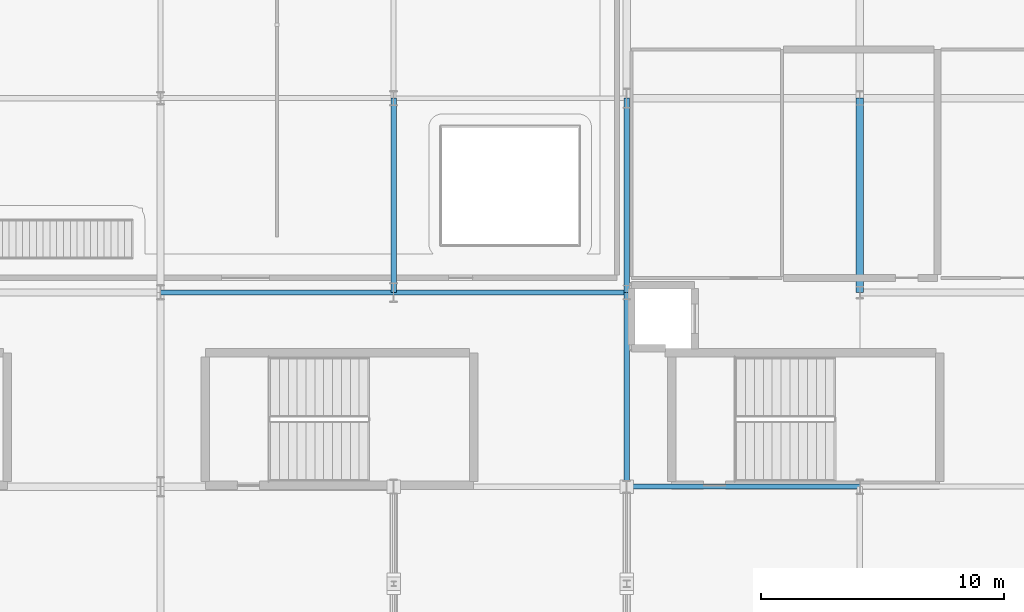
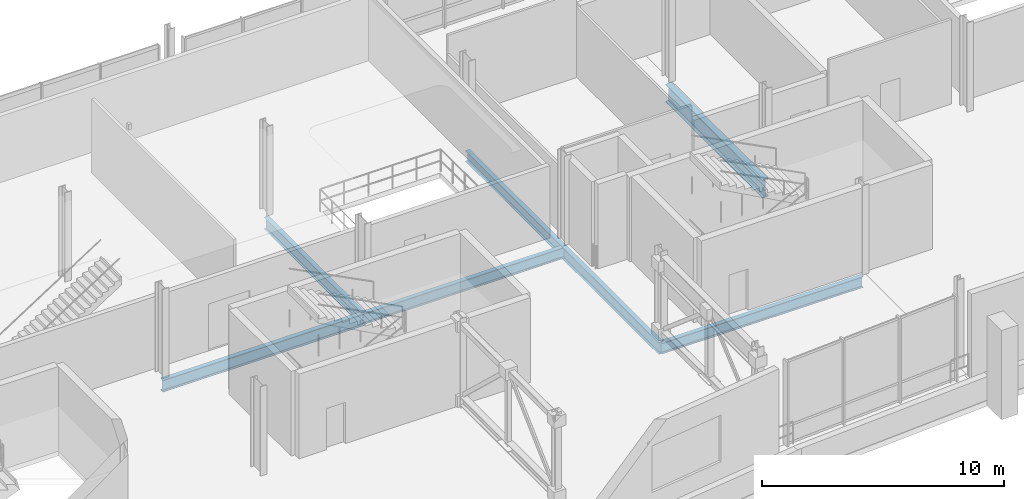
# One storey, part 28 of 193: 7 beams.
"""IFC4 building model written with IfcOpenShell, lengths in metres."""

from ifc_helpers import new_model, si_unit, direction, frame, origin, origin_2d, place, context, subcontext, project, spatial, i_section, extrude, material, material_profile, profile_set, type_object, element, save


model = new_model("IFC4")

# Units and contexts
model_context = context("Model", 3, precision=1e-05, world=origin(), true_north=direction((0.0, 1.0)))
body_context = subcontext(model_context, "Body", "Model", "MODEL_VIEW")
ifc_project = project(units=[si_unit("LENGTHUNIT", "METRE"), si_unit("AREAUNIT", "SQUARE_METRE"), si_unit("VOLUMEUNIT", "CUBIC_METRE"), si_unit("PLANEANGLEUNIT", "RADIAN"), si_unit("MASSUNIT", "GRAM", prefix="KILO")], contexts=[model_context])

# Site, building, storey
site_placement = place(None, origin())
site = spatial("IfcSite", under=ifc_project, at=site_placement, CompositionType="ELEMENT")
building_placement = place(site_placement, origin())
building = spatial("IfcBuilding", under=site, at=building_placement, Name="Danafjord Basin Convention Centre", CompositionType="ELEMENT")
storey_placement = place(building_placement, frame((0.0, 0.0, 11.39990234375)))
storey = spatial("IfcBuildingStorey", under=building, at=storey_placement, Name="L02", CompositionType="ELEMENT", Elevation=11.39990234375)

# Beams
ifc_material = material(Name="Steel S355", Category="steel")
ifc_material_profile_1 = material_profile(ifc_material, i_section(OverallWidth=0.300048828125, OverallDepth=0.89990234375, WebThickness=0.0185546875, FlangeThickness=0.034912109375, FilletRadius=0.030029296875, at=origin_2d()), Name="HEB 900")
ifc_profile_set_1 = profile_set([ifc_material_profile_1], Name="Steel S355")
beam_type_1 = type_object("IfcBeamType", Name="BEAM-BM-HEB900", PredefinedType="BEAM", material=ifc_profile_set_1)
beam_1_placement = place(storey_placement, frame((57.60009765625, 24.0, -0.699951171875), z_axis=(0.0, 1.0, 0.0), x_axis=(-1.0, 0.0, 0.0)))
element("IfcBeam", 1, at=beam_1_placement, inside=storey, type_object=beam_type_1, Name="L02 transverse girder BM-HEB900", PredefinedType="BEAM", context=body_context, shape_type="SweptSolid", body=[
    extrude(i_section(OverallWidth=0.300048828125, OverallDepth=0.89990234375, WebThickness=0.0185546875, FlangeThickness=0.034912109375, FilletRadius=0.030029296875, at=origin_2d()), origin(), (0.0, 0.0, 1.0), 8.0),
])
ifc_material_profile_2 = material_profile(ifc_material, i_section(OverallWidth=0.2099609375, OverallDepth=0.550048828125, WebThickness=0.010986328125, FlangeThickness=0.01708984375, FilletRadius=0.02392578125, at=origin_2d()), Name="IPE 550")
ifc_profile_set_2 = profile_set([ifc_material_profile_2], Name="Steel S355")
beam_type_2 = type_object("IfcBeamType", Name="BEAM-BM-IPE550", PredefinedType="BEAM", material=ifc_profile_set_2)
for number, where, z_axis, x_axis, name in (
    (2, (38.39990234375, 24.0, -0.52490234375), (1.0, 0.0, 0.0), (0.0, 1.0, 0.0), "L02 girder BM-IPE550"),
    (3, (48.0, 16.0, -0.52490234375), (1.0, 0.0, 0.0), (0.0, 1.0, 0.0), "L02 girder BM-IPE550"),
):
    element("IfcBeam", number, at=place(storey_placement, frame(where, z_axis=z_axis, x_axis=x_axis)), inside=storey, type_object=beam_type_2, Name=name, PredefinedType="BEAM", context=body_context, shape_type="SweptSolid", body=[
        extrude(i_section(OverallWidth=0.2099609375, OverallDepth=0.550048828125, WebThickness=0.010986328125, FlangeThickness=0.01708984375, FilletRadius=0.02392578125, at=origin_2d()), origin(), (0.0, 0.0, 1.0), 9.60009765625),
    ])
beam_2_placement = place(storey_placement, frame((48.0, 24.0, -0.52490234375), z_axis=(0.0, 1.0, 0.0), x_axis=(-1.0, 0.0, 0.0)))
element("IfcBeam", 4, at=beam_2_placement, inside=storey, type_object=beam_type_2, Name="L02 transverse girder BM-IPE550", PredefinedType="BEAM", context=body_context, shape_type="SweptSolid", body=[
    extrude(i_section(OverallWidth=0.2099609375, OverallDepth=0.550048828125, WebThickness=0.010986328125, FlangeThickness=0.01708984375, FilletRadius=0.02392578125, at=origin_2d()), origin(), (0.0, 0.0, 1.0), 8.0),
])
ifc_material_profile_3 = material_profile(ifc_material, i_section(OverallWidth=0.219970703125, OverallDepth=0.60009765625, WebThickness=0.011962890625, FlangeThickness=0.01904296875, FilletRadius=0.02392578125, at=origin_2d()), Name="IPE 600")
ifc_profile_set_3 = profile_set([ifc_material_profile_3], Name="Steel S355")
beam_type_3 = type_object("IfcBeamType", Name="BEAM-BM-IPE600", PredefinedType="BEAM", material=ifc_profile_set_3)
beam_3_placement = place(storey_placement, frame((28.800048828125, 24.0, -0.5498046875), z_axis=(1.0, 0.0, 0.0), x_axis=(0.0, 1.0, 0.0)))
element("IfcBeam", 5, at=beam_3_placement, inside=storey, type_object=beam_type_3, Name="L02 girder BM-IPE600", PredefinedType="BEAM", context=body_context, shape_type="SweptSolid", body=[
    extrude(i_section(OverallWidth=0.219970703125, OverallDepth=0.60009765625, WebThickness=0.011962890625, FlangeThickness=0.01904296875, FilletRadius=0.02392578125, at=origin_2d()), origin(), (0.0, 0.0, 1.0), 9.599853515625),
])
for number, where, z_axis, x_axis, name in (
    (6, (38.39990234375, 24.0, -0.5498046875), (0.0, 1.0, 0.0), (-1.0, 0.0, 0.0), "L02 transverse girder BM-IPE600"),
    (7, (48.0, 16.0, -0.5498046875), (0.0, 1.0, 0.0), (-1.0, 0.0, 0.0), "L02 transverse girder BM-IPE600"),
):
    element("IfcBeam", number, at=place(storey_placement, frame(where, z_axis=z_axis, x_axis=x_axis)), inside=storey, type_object=beam_type_3, Name=name, PredefinedType="BEAM", context=body_context, shape_type="SweptSolid", body=[
        extrude(i_section(OverallWidth=0.219970703125, OverallDepth=0.60009765625, WebThickness=0.011962890625, FlangeThickness=0.01904296875, FilletRadius=0.02392578125, at=origin_2d()), origin(), (0.0, 0.0, 1.0), 8.0),
    ])

save(model, "model.ifc")
